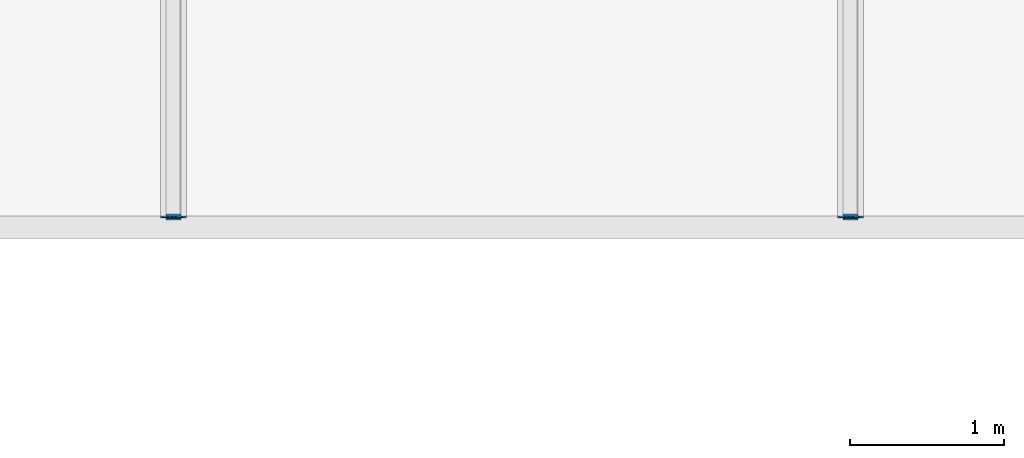
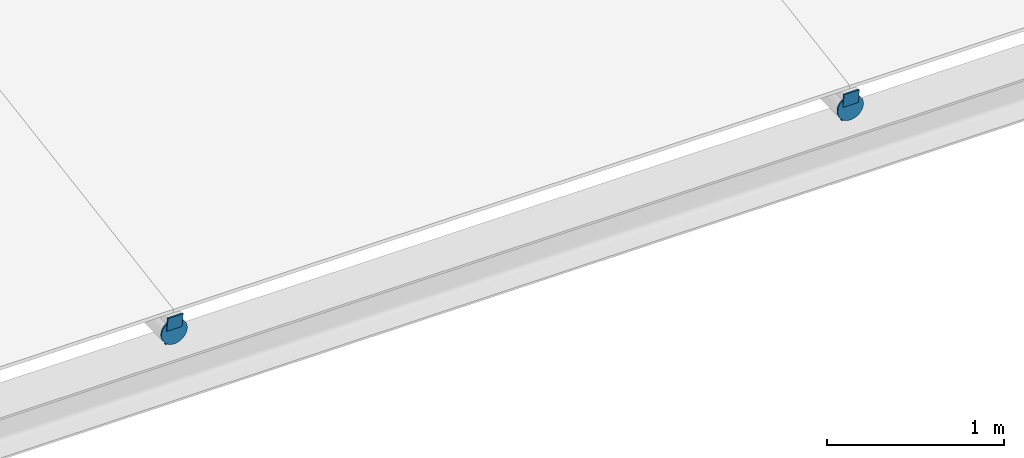
# One storey, part 52 of 69: 4 discrete accessories.
"""IFC4 building model written with IfcOpenShell, lengths in metres."""

from ifc_helpers import new_model, si_unit, direction, frame, origin, origin_2d, place, context, subcontext, project, spatial, rectangle, circle, extrude, material, material_profile, profile_set, type_object, element, save


model = new_model("IFC4")

# Units and contexts
model_context = context("Model", 3, precision=1e-05, world=origin(), true_north=direction((0.0, 1.0)))
body_context = subcontext(model_context, "Body", "Model", "MODEL_VIEW")
ifc_project = project(units=[si_unit("LENGTHUNIT", "METRE"), si_unit("AREAUNIT", "SQUARE_METRE"), si_unit("VOLUMEUNIT", "CUBIC_METRE"), si_unit("PLANEANGLEUNIT", "RADIAN"), si_unit("MASSUNIT", "GRAM", prefix="KILO")], contexts=[model_context])

# Site, building, storey
site_placement = place(None, origin())
site = spatial("IfcSite", under=ifc_project, at=site_placement, CompositionType="ELEMENT")
building_placement = place(site_placement, origin())
building = spatial("IfcBuilding", under=site, at=building_placement, Name="Kallimachos Central Library", CompositionType="ELEMENT")
storey_placement = place(building_placement, frame((0.0, 0.0, 23.39990234375)))
storey = spatial("IfcBuildingStorey", under=building, at=storey_placement, Name="L05", CompositionType="ELEMENT", Elevation=23.39990234375)

# Discrete accessories
ifc_material_1 = material(Name="Steel S355J2", Category="steel")
ifc_material_profile_1 = material_profile(ifc_material_1, rectangle(XDim=0.10009765625, YDim=0.199951171875, at=origin_2d()), Name="End cap plate 10, 100x200")
ifc_profile_set_1 = profile_set([ifc_material_profile_1], Name="Steel S355J2")
discrete_accessory_type_1 = type_object("IfcDiscreteAccessoryType", Name="End cap plate 10, 100x200", PredefinedType="BRACKET", material=ifc_profile_set_1)
for number, where, z_axis, x_axis, name in (
    (1, (92.39990234375, 56.91015625, 0.389892578125), (0.0, 0.988936352868, 0.14834045293), (-1.0, 0.0, 0.0), "End cap plate"),
    (2, (96.800048828125, 56.91015625, 0.389892578125), (0.0, 0.988936352868, 0.14834045293), (-1.0, 0.0, 0.0), "End cap plate"),
):
    element("IfcDiscreteAccessory", number, at=place(storey_placement, frame(where, z_axis=z_axis, x_axis=x_axis)), inside=storey, type_object=discrete_accessory_type_1, Name=name, PredefinedType="BRACKET", context=body_context, shape_type="SweptSolid", body=[
        extrude(rectangle(XDim=0.10009765625, YDim=0.199951171875, at=origin_2d()), origin(), (0.0, 0.0, 1.0), 0.009765625),
    ])
ifc_material_2 = material(Name="Steel S355J2", Category="steel")
ifc_material_profile_2 = material_profile(ifc_material_2, circle(Radius=0.084228515625, at=origin_2d()), Name="End cap plate 10, round 168.3")
ifc_profile_set_2 = profile_set([ifc_material_profile_2], Name="Steel S355J2")
discrete_accessory_type_2 = type_object("IfcDiscreteAccessoryType", Name="End cap plate 10, round 168.3", PredefinedType="BRACKET", material=ifc_profile_set_2)
for number, where, z_axis, x_axis, name in (
    (3, (92.39990234375, 56.909912109375, 0.374267578125), (0.0, 1.0, 0.0), (-1.0, 0.0, 0.0), "End cap plate"),
    (4, (96.800048828125, 56.909912109375, 0.374267578125), (0.0, 1.0, 0.0), (-1.0, 0.0, 0.0), "End cap plate"),
):
    element("IfcDiscreteAccessory", number, at=place(storey_placement, frame(where, z_axis=z_axis, x_axis=x_axis)), inside=storey, type_object=discrete_accessory_type_2, Name=name, PredefinedType="BRACKET", context=body_context, shape_type="SweptSolid", body=[
        extrude(circle(Radius=0.084228515625, at=origin_2d()), origin(), (0.0, 0.0, 1.0), 0.010009765625),
    ])

save(model, "model.ifc")
